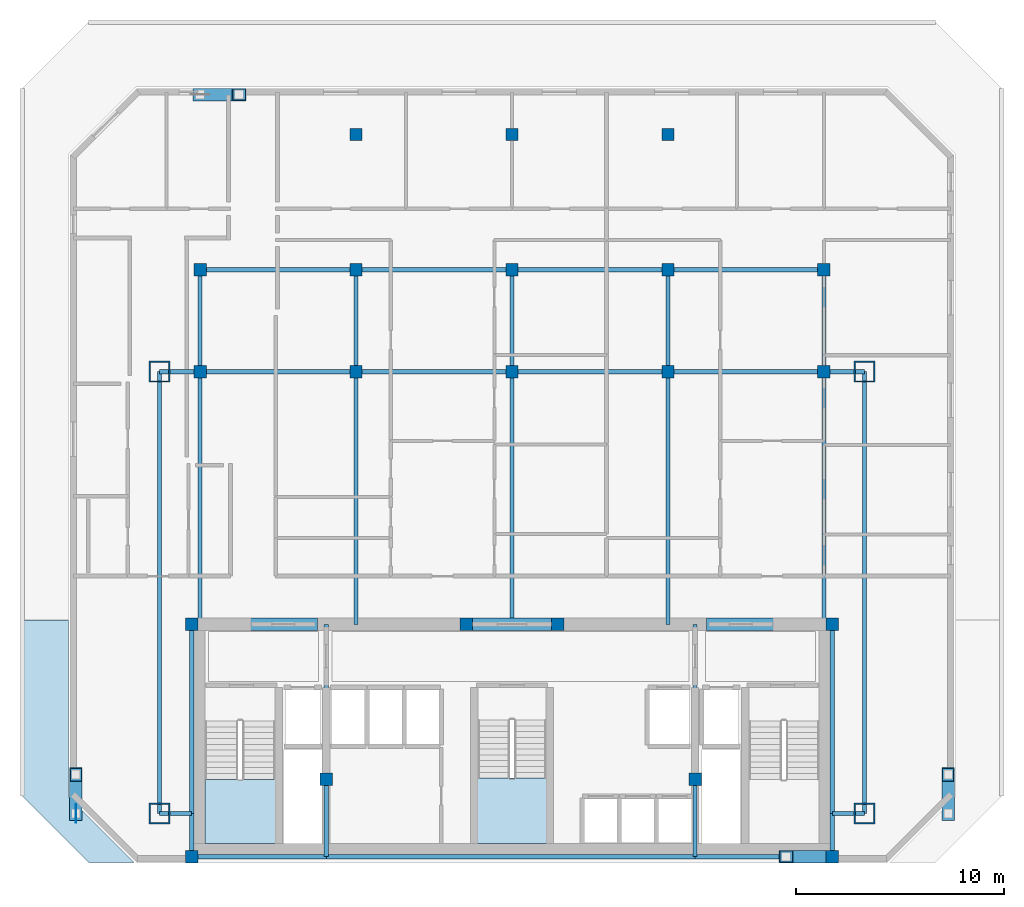
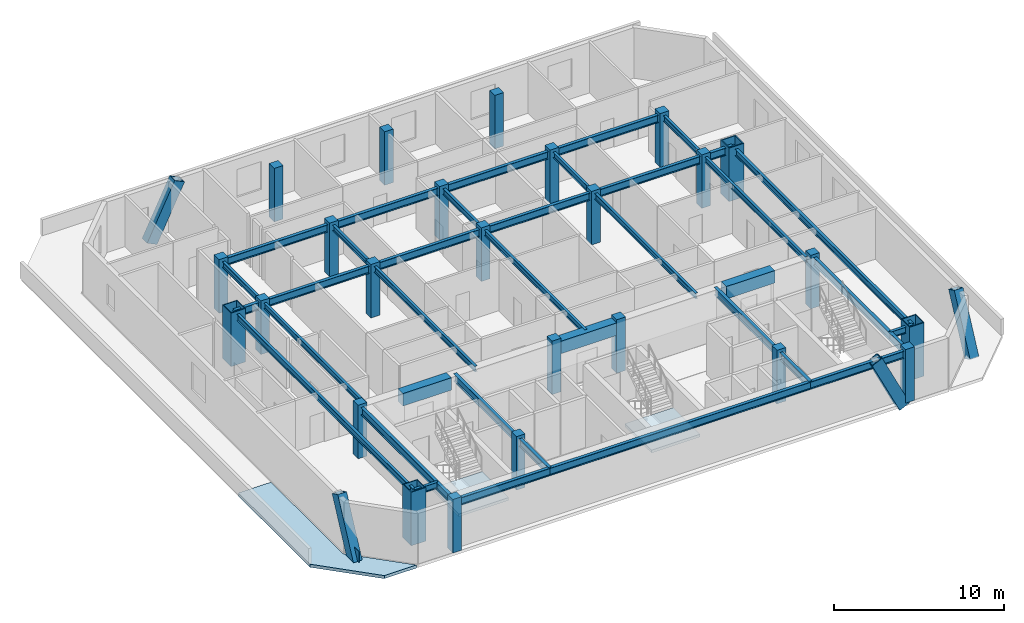
# One storey, part 1 of 7: 38 beams, 25 columns, 4 members, 3 slabs, 1 plate, 2 elements without a shape of their own.
"""IFC4 building model written with IfcOpenShell, lengths in metres."""

from ifc_helpers import new_model, si_unit, direction, frame, origin, origin_2d, place, context, subcontext, project, spatial, polyline, rectangle, hollow_rectangle, i_section, outline, extrude, material, layer, layer_set, material_profile, profile_set, type_object, element, aggregate, save


model = new_model("IFC4")

# Units and contexts
model_context = context("Model", 3, precision=1e-05, world=origin(), true_north=direction((0.0, 1.0)))
body_context = subcontext(model_context, "Body", "Model", "MODEL_VIEW")
ifc_project = project(units=[si_unit("LENGTHUNIT", "METRE"), si_unit("AREAUNIT", "SQUARE_METRE"), si_unit("VOLUMEUNIT", "CUBIC_METRE"), si_unit("PLANEANGLEUNIT", "RADIAN"), si_unit("MASSUNIT", "GRAM", prefix="KILO")], contexts=[model_context])

# Site, building, storey
site_placement = place(None, origin())
site = spatial("IfcSite", under=ifc_project, at=site_placement, CompositionType="ELEMENT")
building_placement = place(site_placement, origin())
building = spatial("IfcBuilding", under=site, at=building_placement, Name="Ventersveld Concourse Tower", CompositionType="ELEMENT")
storey_placement = place(building_placement, frame((0.0, 0.0, 219.550048828125)))
storey = spatial("IfcBuildingStorey", under=building, at=storey_placement, Name="L54", CompositionType="ELEMENT", Elevation=219.550048828125)

# Columns
ifc_material_1 = material(Name="Concrete C50/60", Category="concrete")
ifc_material_profile_1 = material_profile(ifc_material_1, rectangle(XDim=0.60009765625, YDim=0.60009765625, at=origin_2d()), Name="RC 600x600")
ifc_profile_set_1 = profile_set([ifc_material_profile_1], Name="Concrete C50/60")
column_type_1 = type_object("IfcColumnType", Name="COL-RC600", PredefinedType="COLUMN", material=ifc_profile_set_1)
for number, where, z_axis, x_axis, name in (
    (1, (13.35009765625, 0.280029296875, 0.0), (0.0, 0.0, 1.0), (1.0, 0.0, 0.0), "L54 Core Spine Column CC-SW"),
    (2, (44.14990234375, 0.280029296875, 0.0), (0.0, 0.0, 1.0), (1.0, 0.0, 0.0), "L54 Core Spine Column CC-SE"),
    (3, (13.35009765625, 11.449951171875, 0.0), (0.0, 0.0, 1.0), (1.0, 0.0, 0.0), "L54 Core Spine Column CC-NW"),
    (4, (44.14990234375, 11.449951171875, 0.0), (0.0, 0.0, 1.0), (1.0, 0.0, 0.0), "L54 Core Spine Column CC-NE"),
    (5, (19.820068359375, 4.0, 0.0), (0.0, 0.0, 1.0), (1.0, 0.0, 0.0), "L54 Core Spine Column CM-1"),
    (6, (37.550048828125, 4.0, 0.0), (0.0, 0.0, 1.0), (1.0, 0.0, 0.0), "L54 Core Spine Column CM-2"),
    (7, (26.550048828125, 11.449951171875, 0.0), (0.0, 0.0, 1.0), (1.0, 0.0, 0.0), "L54 Core Spine Column CM-3"),
    (8, (30.949951171875, 11.449951171875, 0.0), (0.0, 0.0, 1.0), (1.0, 0.0, 0.0), "L54 Core Spine Column CM-4"),
    (9, (13.75, 23.60009765625, 0.0), (0.0, 0.0, 1.0), (1.0, 0.0, 0.0), "L54 Interior Gravity Column X=13.75 Y=23.60"),
    (10, (21.25, 23.60009765625, 0.0), (0.0, 0.0, 1.0), (1.0, 0.0, 0.0), "L54 Interior Gravity Column X=21.25 Y=23.60"),
    (11, (28.75, 23.60009765625, 0.0), (0.0, 0.0, 1.0), (1.0, 0.0, 0.0), "L54 Interior Gravity Column X=28.75 Y=23.60"),
    (12, (36.25, 23.60009765625, 0.0), (0.0, 0.0, 1.0), (1.0, 0.0, 0.0), "L54 Interior Gravity Column X=36.25 Y=23.60"),
    (13, (43.75, 23.60009765625, 0.0), (0.0, 0.0, 1.0), (1.0, 0.0, 0.0), "L54 Interior Gravity Column X=43.75 Y=23.60"),
    (14, (13.75, 28.5, 0.0), (0.0, 0.0, 1.0), (1.0, 0.0, 0.0), "L54 Upper-North Gravity Column X=13.75 Y=28.50"),
    (15, (21.25, 28.5, 0.0), (0.0, 0.0, 1.0), (1.0, 0.0, 0.0), "L54 Upper-North Gravity Column X=21.25 Y=28.50"),
    (16, (28.75, 28.5, 0.0), (0.0, 0.0, 1.0), (1.0, 0.0, 0.0), "L54 Upper-North Gravity Column X=28.75 Y=28.50"),
    (17, (36.25, 28.5, 0.0), (0.0, 0.0, 1.0), (1.0, 0.0, 0.0), "L54 Upper-North Gravity Column X=36.25 Y=28.50"),
    (18, (43.75, 28.5, 0.0), (0.0, 0.0, 1.0), (1.0, 0.0, 0.0), "L54 Upper-North Gravity Column X=43.75 Y=28.50"),
    (19, (21.25, 35.0, 0.0), (0.0, 0.0, 1.0), (1.0, 0.0, 0.0), "L54 Mid-North Column X=21.25 Y=35.00"),
    (20, (28.75, 35.0, 0.0), (0.0, 0.0, 1.0), (1.0, 0.0, 0.0), "L54 Mid-North Column X=28.75 Y=35.00"),
    (21, (36.25, 35.0, 0.0), (0.0, 0.0, 1.0), (1.0, 0.0, 0.0), "L54 Mid-North Column X=36.25 Y=35.00"),
):
    element("IfcColumn", number, at=place(storey_placement, frame(where, z_axis=z_axis, x_axis=x_axis)), inside=storey, type_object=column_type_1, Name=name, PredefinedType="COLUMN", context=body_context, shape_type="SweptSolid", body=[
        extrude(rectangle(XDim=0.60009765625, YDim=0.60009765625, at=origin_2d()), origin(), (0.0, 0.0, 1.0), 3.849853515625),
    ])
ifc_material_2 = material(Name="Structural steel S460ML", Category="steel")
ifc_material_profile_2 = material_profile(ifc_material_2, hollow_rectangle(XDim=1.0, YDim=1.0, WallThickness=0.06005859375, at=origin_2d()), Name="BOX 1000x1000x60")
ifc_profile_set_2 = profile_set([ifc_material_profile_2], Name="Structural steel S460ML")
column_type_2 = type_object("IfcColumnType", Name="MC-1000", PredefinedType="USERDEFINED", material=ifc_profile_set_2)
for number, where, z_axis, x_axis, name in (
    (22, (11.800048828125, 2.35009765625, 0.0), (0.0, 0.0, 1.0), (1.0, 0.0, 0.0), "L54 Corner Mega-Column MC-SW"),
    (23, (45.699951171875, 2.35009765625, 0.0), (0.0, 0.0, 1.0), (1.0, 0.0, 0.0), "L54 Corner Mega-Column MC-SE"),
    (24, (45.699951171875, 23.60009765625, 0.0), (0.0, 0.0, 1.0), (1.0, 0.0, 0.0), "L54 Corner Mega-Column MC-NE"),
    (25, (11.800048828125, 23.60009765625, 0.0), (0.0, 0.0, 1.0), (1.0, 0.0, 0.0), "L54 Corner Mega-Column MC-NW"),
):
    element("IfcColumn", number, at=place(storey_placement, frame(where, z_axis=z_axis, x_axis=x_axis)), inside=storey, type_object=column_type_2, Name=name, ObjectType="MEGA_COLUMN", PredefinedType="USERDEFINED", context=body_context, shape_type="SweptSolid", body=[
        extrude(hollow_rectangle(XDim=1.0, YDim=1.0, WallThickness=0.06005859375, at=origin_2d()), origin(), (0.0, 0.0, 1.0), 3.849853515625),
    ])

# Beams
ifc_material_3 = material(Name="Structural steel S355J2", Category="steel")
ifc_material_profile_3 = material_profile(ifc_material_3, i_section(OverallWidth=0.177978515625, OverallDepth=0.406494140625, WebThickness=0.0078125, FlangeThickness=0.0126953125, FilletRadius=0.01025390625, at=origin_2d()), Name="UB 406x178x60")
ifc_profile_set_3 = profile_set([ifc_material_profile_3], Name="Structural steel S355J2")
beam_type_1 = type_object("IfcBeamType", Name="BM-UB406", PredefinedType="BEAM", material=ifc_profile_set_3)
beam_1_placement = place(storey_placement, frame((13.75, 11.449951171875, 3.4267578125), z_axis=(0.0, 1.0, 0.0), x_axis=(-1.0, 0.0, 0.0)))
element("IfcBeam", 26, at=beam_1_placement, inside=storey, type_object=beam_type_1, Name="L54 N-S Composite Floor Beam South X=13.75", PredefinedType="BEAM", context=body_context, shape_type="SweptSolid", body=[
    extrude(i_section(OverallWidth=0.177978515625, OverallDepth=0.406494140625, WebThickness=0.0078125, FlangeThickness=0.0126953125, FilletRadius=0.01025390625, at=origin_2d()), origin(), (0.0, 0.0, 1.0), 12.150146484375),
])
beam_2_placement = place(storey_placement, frame((13.75, 23.60009765625, 3.4267578125), z_axis=(0.0, 1.0, 0.0), x_axis=(-1.0, 0.0, 0.0)))
element("IfcBeam", 27, at=beam_2_placement, inside=storey, type_object=beam_type_1, Name="L54 N-S Upper-Zone Floor Beam X=13.75", PredefinedType="BEAM", context=body_context, shape_type="SweptSolid", body=[
    extrude(i_section(OverallWidth=0.177978515625, OverallDepth=0.406494140625, WebThickness=0.0078125, FlangeThickness=0.0126953125, FilletRadius=0.01025390625, at=origin_2d()), origin(), (0.0, 0.0, 1.0), 4.89990234375),
])
beam_3_placement = place(storey_placement, frame((21.25, 11.449951171875, 3.4267578125), z_axis=(0.0, 1.0, 0.0), x_axis=(-1.0, 0.0, 0.0)))
element("IfcBeam", 28, at=beam_3_placement, inside=storey, type_object=beam_type_1, Name="L54 N-S Composite Floor Beam South X=21.25", PredefinedType="BEAM", context=body_context, shape_type="SweptSolid", body=[
    extrude(i_section(OverallWidth=0.177978515625, OverallDepth=0.406494140625, WebThickness=0.0078125, FlangeThickness=0.0126953125, FilletRadius=0.01025390625, at=origin_2d()), origin(), (0.0, 0.0, 1.0), 12.150146484375),
])
beam_4_placement = place(storey_placement, frame((21.25, 23.60009765625, 3.4267578125), z_axis=(0.0, 1.0, 0.0), x_axis=(-1.0, 0.0, 0.0)))
element("IfcBeam", 29, at=beam_4_placement, inside=storey, type_object=beam_type_1, Name="L54 N-S Upper-Zone Floor Beam X=21.25", PredefinedType="BEAM", context=body_context, shape_type="SweptSolid", body=[
    extrude(i_section(OverallWidth=0.177978515625, OverallDepth=0.406494140625, WebThickness=0.0078125, FlangeThickness=0.0126953125, FilletRadius=0.01025390625, at=origin_2d()), origin(), (0.0, 0.0, 1.0), 4.89990234375),
])
beam_5_placement = place(storey_placement, frame((28.75, 11.449951171875, 3.4267578125), z_axis=(0.0, 1.0, 0.0), x_axis=(-1.0, 0.0, 0.0)))
element("IfcBeam", 30, at=beam_5_placement, inside=storey, type_object=beam_type_1, Name="L54 N-S Composite Floor Beam South X=28.75", PredefinedType="BEAM", context=body_context, shape_type="SweptSolid", body=[
    extrude(i_section(OverallWidth=0.177978515625, OverallDepth=0.406494140625, WebThickness=0.0078125, FlangeThickness=0.0126953125, FilletRadius=0.01025390625, at=origin_2d()), origin(), (0.0, 0.0, 1.0), 12.150146484375),
])
beam_6_placement = place(storey_placement, frame((28.75, 23.60009765625, 3.4267578125), z_axis=(0.0, 1.0, 0.0), x_axis=(-1.0, 0.0, 0.0)))
element("IfcBeam", 31, at=beam_6_placement, inside=storey, type_object=beam_type_1, Name="L54 N-S Upper-Zone Floor Beam X=28.75", PredefinedType="BEAM", context=body_context, shape_type="SweptSolid", body=[
    extrude(i_section(OverallWidth=0.177978515625, OverallDepth=0.406494140625, WebThickness=0.0078125, FlangeThickness=0.0126953125, FilletRadius=0.01025390625, at=origin_2d()), origin(), (0.0, 0.0, 1.0), 4.89990234375),
])
beam_7_placement = place(storey_placement, frame((36.25, 11.449951171875, 3.4267578125), z_axis=(0.0, 1.0, 0.0), x_axis=(-1.0, 0.0, 0.0)))
element("IfcBeam", 32, at=beam_7_placement, inside=storey, type_object=beam_type_1, Name="L54 N-S Composite Floor Beam South X=36.25", PredefinedType="BEAM", context=body_context, shape_type="SweptSolid", body=[
    extrude(i_section(OverallWidth=0.177978515625, OverallDepth=0.406494140625, WebThickness=0.0078125, FlangeThickness=0.0126953125, FilletRadius=0.01025390625, at=origin_2d()), origin(), (0.0, 0.0, 1.0), 12.150146484375),
])
beam_8_placement = place(storey_placement, frame((36.25, 23.60009765625, 3.4267578125), z_axis=(0.0, 1.0, 0.0), x_axis=(-1.0, 0.0, 0.0)))
element("IfcBeam", 33, at=beam_8_placement, inside=storey, type_object=beam_type_1, Name="L54 N-S Upper-Zone Floor Beam X=36.25", PredefinedType="BEAM", context=body_context, shape_type="SweptSolid", body=[
    extrude(i_section(OverallWidth=0.177978515625, OverallDepth=0.406494140625, WebThickness=0.0078125, FlangeThickness=0.0126953125, FilletRadius=0.01025390625, at=origin_2d()), origin(), (0.0, 0.0, 1.0), 4.89990234375),
])
beam_9_placement = place(storey_placement, frame((43.75, 11.449951171875, 3.4267578125), z_axis=(0.0, 1.0, 0.0), x_axis=(-1.0, 0.0, 0.0)))
element("IfcBeam", 34, at=beam_9_placement, inside=storey, type_object=beam_type_1, Name="L54 N-S Composite Floor Beam South X=43.75", PredefinedType="BEAM", context=body_context, shape_type="SweptSolid", body=[
    extrude(i_section(OverallWidth=0.177978515625, OverallDepth=0.406494140625, WebThickness=0.0078125, FlangeThickness=0.0126953125, FilletRadius=0.01025390625, at=origin_2d()), origin(), (0.0, 0.0, 1.0), 12.150146484375),
])
beam_10_placement = place(storey_placement, frame((43.75, 23.60009765625, 3.4267578125), z_axis=(0.0, 1.0, 0.0), x_axis=(-1.0, 0.0, 0.0)))
element("IfcBeam", 35, at=beam_10_placement, inside=storey, type_object=beam_type_1, Name="L54 N-S Upper-Zone Floor Beam X=43.75", PredefinedType="BEAM", context=body_context, shape_type="SweptSolid", body=[
    extrude(i_section(OverallWidth=0.177978515625, OverallDepth=0.406494140625, WebThickness=0.0078125, FlangeThickness=0.0126953125, FilletRadius=0.01025390625, at=origin_2d()), origin(), (0.0, 0.0, 1.0), 4.89990234375),
])
ifc_material_profile_4 = material_profile(ifc_material_1, rectangle(XDim=0.60009765625, YDim=0.89990234375, at=origin_2d()), Name="RC 600x900")
ifc_profile_set_4 = profile_set([ifc_material_profile_4], Name="Concrete C50/60")
beam_type_2 = type_object("IfcBeamType", Name="CB-RC600x900U", PredefinedType="LINTEL", material=ifc_profile_set_4)
beam_11_placement = place(storey_placement, frame((16.10009765625, 11.449951171875, 3.179931640625), z_axis=(1.0, 0.0, 0.0), x_axis=(0.0, 1.0, 0.0)))
element("IfcBeam", 36, at=beam_11_placement, inside=storey, type_object=beam_type_2, Name="L54 Core Coupling Lintel Beam 1", PredefinedType="LINTEL", context=body_context, shape_type="SweptSolid", body=[
    extrude(rectangle(XDim=0.60009765625, YDim=0.89990234375, at=origin_2d()), origin(), (0.0, 0.0, 1.0), 3.2998046875),
])
beam_12_placement = place(storey_placement, frame((26.5, 11.449951171875, 3.179931640625), z_axis=(1.0, 0.0, 0.0), x_axis=(0.0, 1.0, 0.0)))
element("IfcBeam", 37, at=beam_12_placement, inside=storey, type_object=beam_type_2, Name="L54 Core Coupling Lintel Beam 2", PredefinedType="LINTEL", context=body_context, shape_type="SweptSolid", body=[
    extrude(rectangle(XDim=0.60009765625, YDim=0.89990234375, at=origin_2d()), origin(), (0.0, 0.0, 1.0), 4.5),
])
beam_13_placement = place(storey_placement, frame((38.10009765625, 11.449951171875, 3.179931640625), z_axis=(1.0, 0.0, 0.0), x_axis=(0.0, 1.0, 0.0)))
element("IfcBeam", 38, at=beam_13_placement, inside=storey, type_object=beam_type_2, Name="L54 Core Coupling Lintel Beam 3", PredefinedType="LINTEL", context=body_context, shape_type="SweptSolid", body=[
    extrude(rectangle(XDim=0.60009765625, YDim=0.89990234375, at=origin_2d()), origin(), (0.0, 0.0, 1.0), 3.2998046875),
])
ifc_material_profile_5 = material_profile(ifc_material_3, i_section(OverallWidth=0.2119140625, OverallDepth=0.54443359375, WebThickness=0.0126953125, FlangeThickness=0.021240234375, FilletRadius=0.0126953125, at=origin_2d()), Name="UB 533x210x122")
ifc_profile_set_5 = profile_set([ifc_material_profile_5], Name="Structural steel S355J2")
beam_type_3 = type_object("IfcBeamType", Name="GRD-UB533H", PredefinedType="T_BEAM", material=ifc_profile_set_5)
beam_14_placement = place(storey_placement, frame((13.35009765625, 0.280029296875, 3.357666015625), z_axis=(0.0, 1.0, 0.0), x_axis=(-1.0, 0.0, 0.0)))
element("IfcBeam", 39, at=beam_14_placement, inside=storey, type_object=beam_type_3, Name="L54 Core West Tie Beam S", PredefinedType="T_BEAM", context=body_context, shape_type="SweptSolid", body=[
    extrude(i_section(OverallWidth=0.2119140625, OverallDepth=0.54443359375, WebThickness=0.0126953125, FlangeThickness=0.021240234375, FilletRadius=0.0126953125, at=origin_2d()), origin(), (0.0, 0.0, 1.0), 2.070068359375),
])
beam_15_placement = place(storey_placement, frame((13.35009765625, 2.35009765625, 3.357666015625), z_axis=(0.0, 1.0, 0.0), x_axis=(-1.0, 0.0, 0.0)))
element("IfcBeam", 40, at=beam_15_placement, inside=storey, type_object=beam_type_3, Name="L54 Core West Tie Beam N", PredefinedType="T_BEAM", context=body_context, shape_type="SweptSolid", body=[
    extrude(i_section(OverallWidth=0.2119140625, OverallDepth=0.54443359375, WebThickness=0.0126953125, FlangeThickness=0.021240234375, FilletRadius=0.0126953125, at=origin_2d()), origin(), (0.0, 0.0, 1.0), 9.099853515625),
])
beam_16_placement = place(storey_placement, frame((44.14990234375, 0.280029296875, 3.357666015625), z_axis=(0.0, 1.0, 0.0), x_axis=(-1.0, 0.0, 0.0)))
element("IfcBeam", 41, at=beam_16_placement, inside=storey, type_object=beam_type_3, Name="L54 Core East Tie Beam S", PredefinedType="T_BEAM", context=body_context, shape_type="SweptSolid", body=[
    extrude(i_section(OverallWidth=0.2119140625, OverallDepth=0.54443359375, WebThickness=0.0126953125, FlangeThickness=0.021240234375, FilletRadius=0.0126953125, at=origin_2d()), origin(), (0.0, 0.0, 1.0), 2.070068359375),
])
beam_17_placement = place(storey_placement, frame((44.14990234375, 2.35009765625, 3.357666015625), z_axis=(0.0, 1.0, 0.0), x_axis=(-1.0, 0.0, 0.0)))
element("IfcBeam", 42, at=beam_17_placement, inside=storey, type_object=beam_type_3, Name="L54 Core East Tie Beam N", PredefinedType="T_BEAM", context=body_context, shape_type="SweptSolid", body=[
    extrude(i_section(OverallWidth=0.2119140625, OverallDepth=0.54443359375, WebThickness=0.0126953125, FlangeThickness=0.021240234375, FilletRadius=0.0126953125, at=origin_2d()), origin(), (0.0, 0.0, 1.0), 9.099853515625),
])
beam_18_placement = place(storey_placement, frame((13.35009765625, 0.280029296875, 3.357666015625), z_axis=(1.0, 0.0, 0.0), x_axis=(0.0, 1.0, 0.0)))
element("IfcBeam", 43, at=beam_18_placement, inside=storey, type_object=beam_type_3, Name="L54 Core South Tie Beam W", PredefinedType="T_BEAM", context=body_context, shape_type="SweptSolid", body=[
    extrude(i_section(OverallWidth=0.2119140625, OverallDepth=0.54443359375, WebThickness=0.0126953125, FlangeThickness=0.021240234375, FilletRadius=0.0126953125, at=origin_2d()), origin(), (0.0, 0.0, 1.0), 6.469970703125),
])
beam_19_placement = place(storey_placement, frame((19.820068359375, 0.280029296875, 3.357666015625), z_axis=(1.0, 0.0, 0.0), x_axis=(0.0, 1.0, 0.0)))
element("IfcBeam", 44, at=beam_19_placement, inside=storey, type_object=beam_type_3, Name="L54 Core South Tie Beam C", PredefinedType="T_BEAM", context=body_context, shape_type="SweptSolid", body=[
    extrude(i_section(OverallWidth=0.2119140625, OverallDepth=0.54443359375, WebThickness=0.0126953125, FlangeThickness=0.021240234375, FilletRadius=0.0126953125, at=origin_2d()), origin(), (0.0, 0.0, 1.0), 17.72998046875),
])
beam_20_placement = place(storey_placement, frame((37.550048828125, 0.280029296875, 3.357666015625), z_axis=(1.0, 0.0, 0.0), x_axis=(0.0, 1.0, 0.0)))
element("IfcBeam", 45, at=beam_20_placement, inside=storey, type_object=beam_type_3, Name="L54 Core South Tie Beam E", PredefinedType="T_BEAM", context=body_context, shape_type="SweptSolid", body=[
    extrude(i_section(OverallWidth=0.2119140625, OverallDepth=0.54443359375, WebThickness=0.0126953125, FlangeThickness=0.021240234375, FilletRadius=0.0126953125, at=origin_2d()), origin(), (0.0, 0.0, 1.0), 6.599853515625),
])
beam_21_placement = place(storey_placement, frame((19.820068359375, 0.280029296875, 3.357666015625), z_axis=(0.0, 1.0, 0.0), x_axis=(-1.0, 0.0, 0.0)))
element("IfcBeam", 46, at=beam_21_placement, inside=storey, type_object=beam_type_3, Name="L54 Core Spine N-S Tie Beam W1", PredefinedType="T_BEAM", context=body_context, shape_type="SweptSolid", body=[
    extrude(i_section(OverallWidth=0.2119140625, OverallDepth=0.54443359375, WebThickness=0.0126953125, FlangeThickness=0.021240234375, FilletRadius=0.0126953125, at=origin_2d()), origin(), (0.0, 0.0, 1.0), 3.719970703125),
])
beam_22_placement = place(storey_placement, frame((19.820068359375, 4.0, 3.357666015625), z_axis=(0.0, 1.0, 0.0), x_axis=(-1.0, 0.0, 0.0)))
element("IfcBeam", 47, at=beam_22_placement, inside=storey, type_object=beam_type_3, Name="L54 Core Spine N-S Tie Beam W2", PredefinedType="T_BEAM", context=body_context, shape_type="SweptSolid", body=[
    extrude(i_section(OverallWidth=0.2119140625, OverallDepth=0.54443359375, WebThickness=0.0126953125, FlangeThickness=0.021240234375, FilletRadius=0.0126953125, at=origin_2d()), origin(), (0.0, 0.0, 1.0), 7.449951171875),
])
beam_23_placement = place(storey_placement, frame((37.550048828125, 0.280029296875, 3.357666015625), z_axis=(0.0, 1.0, 0.0), x_axis=(-1.0, 0.0, 0.0)))
element("IfcBeam", 48, at=beam_23_placement, inside=storey, type_object=beam_type_3, Name="L54 Core Spine N-S Tie Beam E1", PredefinedType="T_BEAM", context=body_context, shape_type="SweptSolid", body=[
    extrude(i_section(OverallWidth=0.2119140625, OverallDepth=0.54443359375, WebThickness=0.0126953125, FlangeThickness=0.021240234375, FilletRadius=0.0126953125, at=origin_2d()), origin(), (0.0, 0.0, 1.0), 3.719970703125),
])
beam_24_placement = place(storey_placement, frame((37.550048828125, 4.0, 3.357666015625), z_axis=(0.0, 1.0, 0.0), x_axis=(-1.0, 0.0, 0.0)))
element("IfcBeam", 49, at=beam_24_placement, inside=storey, type_object=beam_type_3, Name="L54 Core Spine N-S Tie Beam E2", PredefinedType="T_BEAM", context=body_context, shape_type="SweptSolid", body=[
    extrude(i_section(OverallWidth=0.2119140625, OverallDepth=0.54443359375, WebThickness=0.0126953125, FlangeThickness=0.021240234375, FilletRadius=0.0126953125, at=origin_2d()), origin(), (0.0, 0.0, 1.0), 7.449951171875),
])
beam_25_placement = place(storey_placement, frame((11.800048828125, 23.60009765625, 3.357666015625), z_axis=(1.0, 0.0, 0.0), x_axis=(0.0, 1.0, 0.0)))
element("IfcBeam", 50, at=beam_25_placement, inside=storey, type_object=beam_type_3, Name="L54 Primary E-W Grid Girder Y=23.60 #1", PredefinedType="T_BEAM", context=body_context, shape_type="SweptSolid", body=[
    extrude(i_section(OverallWidth=0.2119140625, OverallDepth=0.54443359375, WebThickness=0.0126953125, FlangeThickness=0.021240234375, FilletRadius=0.0126953125, at=origin_2d()), origin(), (0.0, 0.0, 1.0), 1.949951171875),
])
for number, where, z_axis, x_axis, name in (
    (51, (13.75, 23.60009765625, 3.357666015625), (1.0, 0.0, 0.0), (0.0, 1.0, 0.0), "L54 Primary E-W Grid Girder Y=23.60 #2"),
    (52, (21.25, 23.60009765625, 3.357666015625), (1.0, 0.0, 0.0), (0.0, 1.0, 0.0), "L54 Primary E-W Grid Girder Y=23.60 #3"),
    (53, (28.75, 23.60009765625, 3.357666015625), (1.0, 0.0, 0.0), (0.0, 1.0, 0.0), "L54 Primary E-W Grid Girder Y=23.60 #4"),
    (54, (36.25, 23.60009765625, 3.357666015625), (1.0, 0.0, 0.0), (0.0, 1.0, 0.0), "L54 Primary E-W Grid Girder Y=23.60 #5"),
):
    element("IfcBeam", number, at=place(storey_placement, frame(where, z_axis=z_axis, x_axis=x_axis)), inside=storey, type_object=beam_type_3, Name=name, PredefinedType="T_BEAM", context=body_context, shape_type="SweptSolid", body=[
        extrude(i_section(OverallWidth=0.2119140625, OverallDepth=0.54443359375, WebThickness=0.0126953125, FlangeThickness=0.021240234375, FilletRadius=0.0126953125, at=origin_2d()), origin(), (0.0, 0.0, 1.0), 7.5),
    ])
beam_26_placement = place(storey_placement, frame((43.75, 23.60009765625, 3.357666015625), z_axis=(1.0, 0.0, 0.0), x_axis=(0.0, 1.0, 0.0)))
element("IfcBeam", 55, at=beam_26_placement, inside=storey, type_object=beam_type_3, Name="L54 Primary E-W Grid Girder Y=23.60 #6", PredefinedType="T_BEAM", context=body_context, shape_type="SweptSolid", body=[
    extrude(i_section(OverallWidth=0.2119140625, OverallDepth=0.54443359375, WebThickness=0.0126953125, FlangeThickness=0.021240234375, FilletRadius=0.0126953125, at=origin_2d()), origin(), (0.0, 0.0, 1.0), 1.949951171875),
])
for number, where, z_axis, x_axis, name in (
    (56, (13.75, 28.5, 3.357666015625), (1.0, 0.0, 0.0), (0.0, 1.0, 0.0), "L54 Upper-North E-W Girder Y=28.50 #1"),
    (57, (21.25, 28.5, 3.357666015625), (1.0, 0.0, 0.0), (0.0, 1.0, 0.0), "L54 Upper-North E-W Girder Y=28.50 #2"),
    (58, (28.75, 28.5, 3.357666015625), (1.0, 0.0, 0.0), (0.0, 1.0, 0.0), "L54 Upper-North E-W Girder Y=28.50 #3"),
    (59, (36.25, 28.5, 3.357666015625), (1.0, 0.0, 0.0), (0.0, 1.0, 0.0), "L54 Upper-North E-W Girder Y=28.50 #4"),
):
    element("IfcBeam", number, at=place(storey_placement, frame(where, z_axis=z_axis, x_axis=x_axis)), inside=storey, type_object=beam_type_3, Name=name, PredefinedType="T_BEAM", context=body_context, shape_type="SweptSolid", body=[
        extrude(i_section(OverallWidth=0.2119140625, OverallDepth=0.54443359375, WebThickness=0.0126953125, FlangeThickness=0.021240234375, FilletRadius=0.0126953125, at=origin_2d()), origin(), (0.0, 0.0, 1.0), 7.5),
    ])

# Members
ifc_material_4 = material(Name="Structural steel S355ML", Category="steel")
ifc_material_profile_6 = material_profile(ifc_material_4, hollow_rectangle(XDim=0.60009765625, YDim=0.75, WallThickness=0.0400390625, at=origin_2d()), Name="BOX 750x600x40")
ifc_profile_set_6 = profile_set([ifc_material_profile_6], Name="Structural steel S355ML")
member_type = type_object("IfcMemberType", Name="MB-750x600", PredefinedType="BRACE", material=ifc_profile_set_6)
for number, where, z_axis, x_axis, name in (
    (60, (13.75, 36.919921875, -0.219970703125), (0.437861906815, 0.0, 0.899042240699), (0.0, 1.0, 0.0), "L54 Exterior Mega-Brace N (Module M13)"),
    (61, (43.800048828125, 0.280029296875, -0.219970703125), (-0.437861906815, 0.0, 0.899042240699), (0.0, -1.0, 0.0), "L54 Exterior Mega-Brace S (Module M13)"),
    (62, (7.780029296875, 2.35009765625, -0.219970703125), (0.0, 0.437861906815, 0.899042240699), (-1.0, 0.0, 0.0), "L54 Exterior Mega-Brace W (Module M13)"),
    (63, (49.719970703125, 2.35009765625, -0.219970703125), (0.0, 0.437861906815, 0.899042240699), (-1.0, 0.0, 0.0), "L54 Exterior Mega-Brace E (Module M13)"),
):
    element("IfcMember", number, at=place(storey_placement, frame(where, z_axis=z_axis, x_axis=x_axis)), inside=storey, type_object=member_type, Name=name, PredefinedType="BRACE", context=body_context, shape_type="SweptSolid", body=[
        extrude(hollow_rectangle(XDim=0.60009765625, YDim=0.75, WallThickness=0.0400390625, at=origin_2d()), origin(), (0.0, 0.0, 1.0), 4.2822265625),
    ])

# Beams
ifc_material_profile_7 = material_profile(ifc_material_3, i_section(OverallWidth=0.19140625, OverallDepth=0.4599609375, WebThickness=0.010009765625, FlangeThickness=0.01611328125, FilletRadius=0.01025390625, at=origin_2d()), Name="UB 457x191x82")
ifc_profile_set_7 = profile_set([ifc_material_profile_7], Name="Structural steel S355J2")
beam_type_4 = type_object("IfcBeamType", Name="SPD-UB457", PredefinedType="SPANDREL", material=ifc_profile_set_7)
for number, where, z_axis, x_axis, name in (
    (64, (11.800048828125, 2.35009765625, 3.39990234375), (1.0, 0.0, 0.0), (0.0, 1.0, 0.0), "L54 SW Spandrel Beam"),
    (65, (44.14990234375, 2.35009765625, 3.39990234375), (1.0, 0.0, 0.0), (0.0, 1.0, 0.0), "L54 SE Spandrel Beam"),
):
    element("IfcBeam", number, at=place(storey_placement, frame(where, z_axis=z_axis, x_axis=x_axis)), inside=storey, type_object=beam_type_4, Name=name, PredefinedType="SPANDREL", context=body_context, shape_type="SweptSolid", body=[
        extrude(i_section(OverallWidth=0.19140625, OverallDepth=0.4599609375, WebThickness=0.010009765625, FlangeThickness=0.01611328125, FilletRadius=0.01025390625, at=origin_2d()), origin(), (0.0, 0.0, 1.0), 1.550048828125),
    ])
for number, where, z_axis, x_axis, name in (
    (66, (11.800048828125, 2.35009765625, 3.39990234375), (0.0, 1.0, 0.0), (-1.0, 0.0, 0.0), "L54 West Spandrel Beam"),
    (67, (45.699951171875, 2.35009765625, 3.39990234375), (0.0, 1.0, 0.0), (-1.0, 0.0, 0.0), "L54 East Spandrel Beam"),
):
    element("IfcBeam", number, at=place(storey_placement, frame(where, z_axis=z_axis, x_axis=x_axis)), inside=storey, type_object=beam_type_4, Name=name, PredefinedType="SPANDREL", context=body_context, shape_type="SweptSolid", body=[
        extrude(i_section(OverallWidth=0.19140625, OverallDepth=0.4599609375, WebThickness=0.010009765625, FlangeThickness=0.01611328125, FilletRadius=0.01025390625, at=origin_2d()), origin(), (0.0, 0.0, 1.0), 21.25),
    ])

# Plate
ifc_layer_1 = layer(ifc_material_3, 0.030029296875)
ifc_layer_set_1 = layer_set([ifc_layer_1], Name="Structural steel S355J2")
plate_type = type_object("IfcPlateType", Name="PL-CAP-30", PredefinedType="USERDEFINED", material=ifc_layer_set_1)
plate_placement = place(storey_placement, frame((7.780029296875, 2.35009765625, -0.10009765625), z_axis=(0.0, 0.0, 1.0), x_axis=(0.0, 1.0, 0.0)))
element("IfcPlate", 68, at=plate_placement, inside=storey, type_object=plate_type, Name="L54 Mega-Brace Gusset Node Plate M13-W", ObjectType="GUSSET_PLATE", PredefinedType="USERDEFINED", context=body_context, shape_type="SweptSolid", body=[
    extrude(rectangle(XDim=0.89990234375, YDim=0.030029296875, at=origin_2d()), origin(), (0.0, 0.0, 1.0), 0.89990234375),
])

# Stair, slab
stair_type_1 = type_object("IfcStairType", Name="ST-DOG-160", PredefinedType="HALF_TURN_STAIR", material=ifc_material_1)
stair_1_placement = place(storey_placement, origin())
stair_1 = element("IfcStair", 69, at=stair_1_placement, inside=storey, type_object=stair_type_1, Name="L54 Protected Tower Escape Stair ST-01", PredefinedType="HALF_TURN_STAIR")
ifc_layer_2 = layer(ifc_material_1, 0.199951171875)
ifc_layer_set_2 = layer_set([ifc_layer_2], Name="Concrete C50/60")
slab_type_1 = type_object("IfcSlabType", Name="SL-LND-200", PredefinedType="LANDING", material=ifc_layer_set_2)
slab_1_placement = place(storey_placement, frame((0.0, 0.0, 1.724853515625)))
slab_1 = element("IfcSlab", 70, at=slab_1_placement, type_object=slab_type_1, Name="ST-01 landing 1", PredefinedType="LANDING", context=body_context, shape_type="SweptSolid", body=[
    extrude(outline(polyline([(13.97998046875, 4.0), (13.97998046875, 0.89990234375), (17.3798828125, 0.89990234375), (17.3798828125, 4.0), (13.97998046875, 4.0)])), origin(), (0.0, 0.0, 1.0), 0.2001953125),
])
aggregate(stair_1, [slab_1])

stair_type_2 = type_object("IfcStairType", Name="ST-DOG-155", PredefinedType="HALF_TURN_STAIR", material=ifc_material_1)
stair_2_placement = place(storey_placement, origin())
stair_2 = element("IfcStair", 71, at=stair_2_placement, inside=storey, type_object=stair_type_2, Name="L54 Protected Central Core Escape Stair ST-03", PredefinedType="HALF_TURN_STAIR")
slab_2_placement = place(storey_placement, frame((0.0, 0.0, 1.724853515625)))
slab_2 = element("IfcSlab", 72, at=slab_2_placement, type_object=slab_type_1, Name="ST-03 landing 1", PredefinedType="LANDING", context=body_context, shape_type="SweptSolid", body=[
    extrude(outline(polyline([(27.10009765625, 4.050048828125), (27.10009765625, 0.89990234375), (30.39990234375, 0.89990234375), (30.39990234375, 4.050048828125), (27.10009765625, 4.050048828125)])), origin(), (0.0, 0.0, 1.0), 0.2001953125),
])
aggregate(stair_2, [slab_2])

# Slab
ifc_layer_3 = layer(ifc_material_1, 0.219970703125)
ifc_layer_set_3 = layer_set([ifc_layer_3], Name="Concrete C50/60")
slab_type_2 = type_object("IfcSlabType", Name="SL-ROOF-220", PredefinedType="ROOF", material=ifc_layer_set_3)
slab_3_placement = place(storey_placement, frame((0.0, 0.0, -0.219970703125)))
element("IfcSlab", 73, at=slab_3_placement, inside=storey, type_object=slab_type_2, Name="L54 Maintenance Setback Roof Slab W2", PredefinedType="ROOF", context=body_context, shape_type="SweptSolid", body=[
    extrude(outline(polyline([(5.199951171875, 3.199951171875), (5.199951171875, 11.64990234375), (7.419921875, 11.64990234375), (7.419921875, 3.199951171875), (7.42041015625, 3.192138671875), (7.42138671875, 3.184326171875), (7.42333984375, 3.1767578125), (7.426025390625, 3.16943359375), (7.429443359375, 3.162353515625), (7.43359375, 3.155517578125), (7.438232421875, 3.149169921875), (7.443359375, 3.143310546875), (10.5869140625, 0.0), (8.39990234375, 0.0), (5.199951171875, 3.199951171875)])), origin(), (0.0, 0.0, 1.0), 0.219970703125),
])

save(model, "model.ifc")
